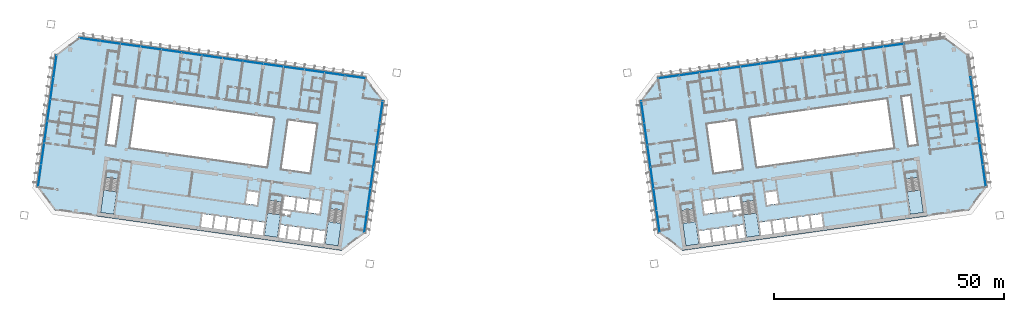
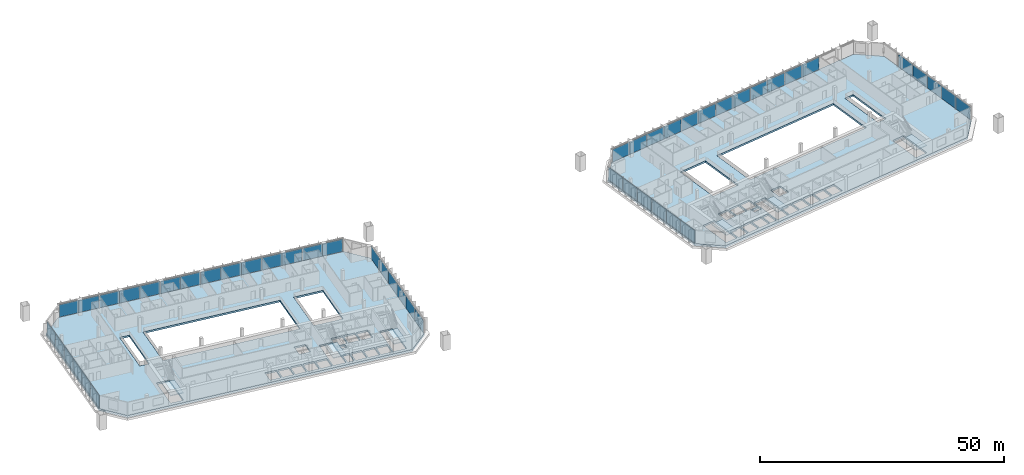
# One storey, part 12 of 24: 49 plates, 8 slabs, 12 elements without a shape of their own.
"""IFC4 building model written with IfcOpenShell, lengths in metres."""

from ifc_helpers import new_model, si_unit, direction, frame, origin, origin_2d, place, context, subcontext, project, spatial, polyline, rectangle, outline, extrude, material, layer, layer_set, type_object, element, aggregate, save


model = new_model("IFC4")

# Units and contexts
model_context = context("Model", 3, precision=1e-05, world=origin(), true_north=direction((0.0, 1.0)))
body_context = subcontext(model_context, "Body", "Model", "MODEL_VIEW")
ifc_project = project(units=[si_unit("LENGTHUNIT", "METRE"), si_unit("AREAUNIT", "SQUARE_METRE"), si_unit("VOLUMEUNIT", "CUBIC_METRE"), si_unit("PLANEANGLEUNIT", "RADIAN"), si_unit("MASSUNIT", "GRAM", prefix="KILO")], contexts=[model_context])

# Site, building, storey
site_placement = place(None, origin())
site = spatial("IfcSite", under=ifc_project, at=site_placement, CompositionType="ELEMENT")
building_placement = place(site_placement, origin())
building = spatial("IfcBuilding", under=site, at=building_placement, Name="Mirante Cascada Hotel Towers", CompositionType="ELEMENT")
storey_placement = place(building_placement, frame((0.0, 0.0, 110.1)))
storey = spatial("IfcBuildingStorey", under=building, at=storey_placement, Name="L24", CompositionType="ELEMENT", Elevation=110.1)

# Curtain wall, plates
ifc_material_1 = material(Name="Aluminium mullion and transom frame with clear laminated glass", Category="aluminium")
curtain_wall_type_1 = type_object("IfcCurtainWallType", Name="Ribbon curtain wall ECW1", PredefinedType="NOTDEFINED", material=ifc_material_1)
curtain_wall_1_placement = place(storey_placement, origin())
curtain_wall_1 = element("IfcCurtainWall", 1, at=curtain_wall_1_placement, inside=storey, type_object=curtain_wall_type_1, Name="Front ribbon wall T1 L24", PredefinedType="NOTDEFINED")
ifc_material_2 = material(Name="Clear laminated glass", Category="glass")
ifc_layer_1 = layer(ifc_material_2, 0.036)
ifc_layer_set_1 = layer_set([ifc_layer_1], Name="ECW1 glass panel 36")
plate_type_1 = type_object("IfcPlateType", Name="ECW1 glass panel 36", PredefinedType="CURTAIN_PANEL", material=ifc_layer_set_1)
plate_1_placement = place(storey_placement, frame((-91.9184, 25.7373, 0.1), z_axis=(0.0, 0.0, 1.0), x_axis=(0.9902681, -0.1391731, 0.0)))
plate_1 = element("IfcPlate", 2, at=plate_1_placement, type_object=plate_type_1, Name="ECW1 panel 1", PredefinedType="CURTAIN_PANEL", context=body_context, shape_type="SweptSolid", body=[
    extrude(rectangle(XDim=4.3936, YDim=0.036, at=origin_2d()), origin(), (0.0, 0.0, 1.0), 3.15),
])
plate_2_placement = place(storey_placement, frame((-87.487, 25.1145, 0.1), z_axis=(0.0, 0.0, 1.0), x_axis=(0.9902681, -0.1391731, 0.0)))
plate_2 = element("IfcPlate", 3, at=plate_2_placement, type_object=plate_type_1, Name="ECW1 panel 2", PredefinedType="CURTAIN_PANEL", context=body_context, shape_type="SweptSolid", body=[
    extrude(rectangle(XDim=4.4261, YDim=0.036, at=origin_2d()), origin(), (0.0, 0.0, 1.0), 3.15),
])
plate_3_placement = place(storey_placement, frame((-83.0396, 24.4895, 0.1), z_axis=(0.0, 0.0, 1.0), x_axis=(0.9902681, -0.1391731, 0.0)))
plate_3 = element("IfcPlate", 4, at=plate_3_placement, type_object=plate_type_1, Name="ECW1 panel 3", PredefinedType="CURTAIN_PANEL", context=body_context, shape_type="SweptSolid", body=[
    extrude(rectangle(XDim=4.4261, YDim=0.036, at=origin_2d()), origin(), (0.0, 0.0, 1.0), 3.15),
])
plate_4_placement = place(storey_placement, frame((-78.5922, 23.8644, 0.1), z_axis=(0.0, 0.0, 1.0), x_axis=(0.9902681, -0.1391731, 0.0)))
plate_4 = element("IfcPlate", 5, at=plate_4_placement, type_object=plate_type_1, Name="ECW1 panel 4", PredefinedType="CURTAIN_PANEL", context=body_context, shape_type="SweptSolid", body=[
    extrude(rectangle(XDim=4.4261, YDim=0.036, at=origin_2d()), origin(), (0.0, 0.0, 1.0), 3.15),
])
plate_5_placement = place(storey_placement, frame((-74.1448, 23.2394, 0.1), z_axis=(0.0, 0.0, 1.0), x_axis=(0.9902681, -0.1391731, 0.0)))
plate_5 = element("IfcPlate", 6, at=plate_5_placement, type_object=plate_type_1, Name="ECW1 panel 5", PredefinedType="CURTAIN_PANEL", context=body_context, shape_type="SweptSolid", body=[
    extrude(rectangle(XDim=4.4261, YDim=0.036, at=origin_2d()), origin(), (0.0, 0.0, 1.0), 3.15),
])
plate_6_placement = place(storey_placement, frame((-69.6974, 22.6144, 0.1), z_axis=(0.0, 0.0, 1.0), x_axis=(0.9902681, -0.1391731, 0.0)))
plate_6 = element("IfcPlate", 7, at=plate_6_placement, type_object=plate_type_1, Name="ECW1 panel 6", PredefinedType="CURTAIN_PANEL", context=body_context, shape_type="SweptSolid", body=[
    extrude(rectangle(XDim=4.4261, YDim=0.036, at=origin_2d()), origin(), (0.0, 0.0, 1.0), 3.15),
])
plate_7_placement = place(storey_placement, frame((-65.2499, 21.9893, 0.1), z_axis=(0.0, 0.0, 1.0), x_axis=(0.9902681, -0.1391731, 0.0)))
plate_7 = element("IfcPlate", 8, at=plate_7_placement, type_object=plate_type_1, Name="ECW1 panel 7", PredefinedType="CURTAIN_PANEL", context=body_context, shape_type="SweptSolid", body=[
    extrude(rectangle(XDim=4.4261, YDim=0.036, at=origin_2d()), origin(), (0.0, 0.0, 1.0), 3.15),
])
plate_8_placement = place(storey_placement, frame((-60.8025, 21.3643, 0.1), z_axis=(0.0, 0.0, 1.0), x_axis=(0.9902681, -0.1391731, 0.0)))
plate_8 = element("IfcPlate", 9, at=plate_8_placement, type_object=plate_type_1, Name="ECW1 panel 8", PredefinedType="CURTAIN_PANEL", context=body_context, shape_type="SweptSolid", body=[
    extrude(rectangle(XDim=4.4261, YDim=0.036, at=origin_2d()), origin(), (0.0, 0.0, 1.0), 3.15),
])
plate_9_placement = place(storey_placement, frame((-56.3551, 20.7392, 0.1), z_axis=(0.0, 0.0, 1.0), x_axis=(0.9902681, -0.1391731, 0.0)))
plate_9 = element("IfcPlate", 10, at=plate_9_placement, type_object=plate_type_1, Name="ECW1 panel 9", PredefinedType="CURTAIN_PANEL", context=body_context, shape_type="SweptSolid", body=[
    extrude(rectangle(XDim=4.4261, YDim=0.036, at=origin_2d()), origin(), (0.0, 0.0, 1.0), 3.15),
])
plate_10_placement = place(storey_placement, frame((-51.9077, 20.1142, 0.1), z_axis=(0.0, 0.0, 1.0), x_axis=(0.9902681, -0.1391731, 0.0)))
plate_10 = element("IfcPlate", 11, at=plate_10_placement, type_object=plate_type_1, Name="ECW1 panel 10", PredefinedType="CURTAIN_PANEL", context=body_context, shape_type="SweptSolid", body=[
    extrude(rectangle(XDim=4.4261, YDim=0.036, at=origin_2d()), origin(), (0.0, 0.0, 1.0), 3.15),
])
plate_11_placement = place(storey_placement, frame((-47.4603, 19.4891, 0.1), z_axis=(0.0, 0.0, 1.0), x_axis=(0.9902681, -0.1391731, 0.0)))
plate_11 = element("IfcPlate", 12, at=plate_11_placement, type_object=plate_type_1, Name="ECW1 panel 11", PredefinedType="CURTAIN_PANEL", context=body_context, shape_type="SweptSolid", body=[
    extrude(rectangle(XDim=4.4261, YDim=0.036, at=origin_2d()), origin(), (0.0, 0.0, 1.0), 3.15),
])
plate_12_placement = place(storey_placement, frame((-43.0129, 18.8641, 0.1), z_axis=(0.0, 0.0, 1.0), x_axis=(0.9902681, -0.1391731, 0.0)))
plate_12 = element("IfcPlate", 13, at=plate_12_placement, type_object=plate_type_1, Name="ECW1 panel 12", PredefinedType="CURTAIN_PANEL", context=body_context, shape_type="SweptSolid", body=[
    extrude(rectangle(XDim=4.4261, YDim=0.036, at=origin_2d()), origin(), (0.0, 0.0, 1.0), 3.15),
])
plate_13_placement = place(storey_placement, frame((-38.5654, 18.239, 0.1), z_axis=(0.0, 0.0, 1.0), x_axis=(0.9902681, -0.1391731, 0.0)))
plate_13 = element("IfcPlate", 14, at=plate_13_placement, type_object=plate_type_1, Name="ECW1 panel 13", PredefinedType="CURTAIN_PANEL", context=body_context, shape_type="SweptSolid", body=[
    extrude(rectangle(XDim=4.4261, YDim=0.036, at=origin_2d()), origin(), (0.0, 0.0, 1.0), 3.15),
])
plate_14_placement = place(storey_placement, frame((-34.1341, 17.6163, 0.1), z_axis=(0.0, 0.0, 1.0), x_axis=(0.9902681, -0.1391731, 0.0)))
plate_14 = element("IfcPlate", 15, at=plate_14_placement, type_object=plate_type_1, Name="ECW1 panel 14", PredefinedType="CURTAIN_PANEL", context=body_context, shape_type="SweptSolid", body=[
    extrude(rectangle(XDim=4.3936, YDim=0.036, at=origin_2d()), origin(), (0.0, 0.0, 1.0), 3.15),
])
aggregate(curtain_wall_1, [plate_1, plate_2, plate_3, plate_4, plate_5, plate_6, plate_7, plate_8, plate_9, plate_10, plate_11, plate_12, plate_13, plate_14])

curtain_wall_2_placement = place(storey_placement, origin())
curtain_wall_2 = element("IfcCurtainWall", 16, at=curtain_wall_2_placement, inside=storey, type_object=curtain_wall_type_1, Name="Front ribbon wall T2 L24", PredefinedType="NOTDEFINED")
plate_15_placement = place(storey_placement, frame((83.0396, 24.4895, 0.1), z_axis=(0.0, 0.0, 1.0), x_axis=(-0.9902681, -0.1391731, 0.0)))
plate_15 = element("IfcPlate", 17, at=plate_15_placement, type_object=plate_type_1, Name="ECW1 panel 3", PredefinedType="CURTAIN_PANEL", context=body_context, shape_type="SweptSolid", body=[
    extrude(rectangle(XDim=4.4261, YDim=0.036, at=origin_2d()), origin(), (0.0, 0.0, 1.0), 3.15),
])
plate_16_placement = place(storey_placement, frame((78.5922, 23.8644, 0.1), z_axis=(0.0, 0.0, 1.0), x_axis=(-0.9902681, -0.1391731, 0.0)))
plate_16 = element("IfcPlate", 18, at=plate_16_placement, type_object=plate_type_1, Name="ECW1 panel 4", PredefinedType="CURTAIN_PANEL", context=body_context, shape_type="SweptSolid", body=[
    extrude(rectangle(XDim=4.4261, YDim=0.036, at=origin_2d()), origin(), (0.0, 0.0, 1.0), 3.15),
])
plate_17_placement = place(storey_placement, frame((74.1448, 23.2394, 0.1), z_axis=(0.0, 0.0, 1.0), x_axis=(-0.9902681, -0.1391731, 0.0)))
plate_17 = element("IfcPlate", 19, at=plate_17_placement, type_object=plate_type_1, Name="ECW1 panel 5", PredefinedType="CURTAIN_PANEL", context=body_context, shape_type="SweptSolid", body=[
    extrude(rectangle(XDim=4.4261, YDim=0.036, at=origin_2d()), origin(), (0.0, 0.0, 1.0), 3.15),
])
plate_18_placement = place(storey_placement, frame((69.6974, 22.6144, 0.1), z_axis=(0.0, 0.0, 1.0), x_axis=(-0.9902681, -0.1391731, 0.0)))
plate_18 = element("IfcPlate", 20, at=plate_18_placement, type_object=plate_type_1, Name="ECW1 panel 6", PredefinedType="CURTAIN_PANEL", context=body_context, shape_type="SweptSolid", body=[
    extrude(rectangle(XDim=4.4261, YDim=0.036, at=origin_2d()), origin(), (0.0, 0.0, 1.0), 3.15),
])
plate_19_placement = place(storey_placement, frame((65.2499, 21.9893, 0.1), z_axis=(0.0, 0.0, 1.0), x_axis=(-0.9902681, -0.1391731, 0.0)))
plate_19 = element("IfcPlate", 21, at=plate_19_placement, type_object=plate_type_1, Name="ECW1 panel 7", PredefinedType="CURTAIN_PANEL", context=body_context, shape_type="SweptSolid", body=[
    extrude(rectangle(XDim=4.4261, YDim=0.036, at=origin_2d()), origin(), (0.0, 0.0, 1.0), 3.15),
])
plate_20_placement = place(storey_placement, frame((60.8025, 21.3643, 0.1), z_axis=(0.0, 0.0, 1.0), x_axis=(-0.9902681, -0.1391731, 0.0)))
plate_20 = element("IfcPlate", 22, at=plate_20_placement, type_object=plate_type_1, Name="ECW1 panel 8", PredefinedType="CURTAIN_PANEL", context=body_context, shape_type="SweptSolid", body=[
    extrude(rectangle(XDim=4.4261, YDim=0.036, at=origin_2d()), origin(), (0.0, 0.0, 1.0), 3.15),
])
plate_21_placement = place(storey_placement, frame((56.3551, 20.7392, 0.1), z_axis=(0.0, 0.0, 1.0), x_axis=(-0.9902681, -0.1391731, 0.0)))
plate_21 = element("IfcPlate", 23, at=plate_21_placement, type_object=plate_type_1, Name="ECW1 panel 9", PredefinedType="CURTAIN_PANEL", context=body_context, shape_type="SweptSolid", body=[
    extrude(rectangle(XDim=4.4261, YDim=0.036, at=origin_2d()), origin(), (0.0, 0.0, 1.0), 3.15),
])
plate_22_placement = place(storey_placement, frame((51.9077, 20.1142, 0.1), z_axis=(0.0, 0.0, 1.0), x_axis=(-0.9902681, -0.1391731, 0.0)))
plate_22 = element("IfcPlate", 24, at=plate_22_placement, type_object=plate_type_1, Name="ECW1 panel 10", PredefinedType="CURTAIN_PANEL", context=body_context, shape_type="SweptSolid", body=[
    extrude(rectangle(XDim=4.4261, YDim=0.036, at=origin_2d()), origin(), (0.0, 0.0, 1.0), 3.15),
])
plate_23_placement = place(storey_placement, frame((47.4603, 19.4891, 0.1), z_axis=(0.0, 0.0, 1.0), x_axis=(-0.9902681, -0.1391731, 0.0)))
plate_23 = element("IfcPlate", 25, at=plate_23_placement, type_object=plate_type_1, Name="ECW1 panel 11", PredefinedType="CURTAIN_PANEL", context=body_context, shape_type="SweptSolid", body=[
    extrude(rectangle(XDim=4.4261, YDim=0.036, at=origin_2d()), origin(), (0.0, 0.0, 1.0), 3.15),
])
plate_24_placement = place(storey_placement, frame((43.0129, 18.8641, 0.1), z_axis=(0.0, 0.0, 1.0), x_axis=(-0.9902681, -0.1391731, 0.0)))
plate_24 = element("IfcPlate", 26, at=plate_24_placement, type_object=plate_type_1, Name="ECW1 panel 12", PredefinedType="CURTAIN_PANEL", context=body_context, shape_type="SweptSolid", body=[
    extrude(rectangle(XDim=4.4261, YDim=0.036, at=origin_2d()), origin(), (0.0, 0.0, 1.0), 3.15),
])
plate_25_placement = place(storey_placement, frame((38.5654, 18.239, 0.1), z_axis=(0.0, 0.0, 1.0), x_axis=(-0.9902681, -0.1391731, 0.0)))
plate_25 = element("IfcPlate", 27, at=plate_25_placement, type_object=plate_type_1, Name="ECW1 panel 13", PredefinedType="CURTAIN_PANEL", context=body_context, shape_type="SweptSolid", body=[
    extrude(rectangle(XDim=4.4261, YDim=0.036, at=origin_2d()), origin(), (0.0, 0.0, 1.0), 3.15),
])
plate_26_placement = place(storey_placement, frame((34.1341, 17.6163, 0.1), z_axis=(0.0, 0.0, 1.0), x_axis=(-0.9902681, -0.1391731, 0.0)))
plate_26 = element("IfcPlate", 28, at=plate_26_placement, type_object=plate_type_1, Name="ECW1 panel 14", PredefinedType="CURTAIN_PANEL", context=body_context, shape_type="SweptSolid", body=[
    extrude(rectangle(XDim=4.3936, YDim=0.036, at=origin_2d()), origin(), (0.0, 0.0, 1.0), 3.15),
])
aggregate(curtain_wall_2, [plate_15, plate_16, plate_17, plate_18, plate_19, plate_20, plate_21, plate_22, plate_23, plate_24, plate_25, plate_26])

ifc_material_3 = material(Name="Aluminium mullion and transom frame with clear laminated glass", Category="aluminium")
curtain_wall_type_2 = type_object("IfcCurtainWallType", Name="End ribbon curtain wall ECW2", PredefinedType="NOTDEFINED", material=ifc_material_3)
curtain_wall_3_placement = place(storey_placement, origin())
curtain_wall_3 = element("IfcCurtainWall", 29, at=curtain_wall_3_placement, inside=storey, type_object=curtain_wall_type_2, Name="Inner end wall T1 L24", PredefinedType="NOTDEFINED")
ifc_material_4 = material(Name="Clear laminated glass", Category="glass")
ifc_layer_2 = layer(ifc_material_4, 0.034)
ifc_layer_set_2 = layer_set([ifc_layer_2], Name="ECW2 glass panel 34")
plate_type_2 = type_object("IfcPlateType", Name="ECW2 glass panel 34", PredefinedType="CURTAIN_PANEL", material=ifc_layer_set_2)
plate_27_placement = place(storey_placement, frame((-28.4763, 9.9193, 0.1), z_axis=(0.0, 0.0, 1.0), x_axis=(-0.1391731, -0.9902681, 0.0)))
plate_27 = element("IfcPlate", 30, at=plate_27_placement, type_object=plate_type_2, Name="ECW2 panel 1", PredefinedType="CURTAIN_PANEL", context=body_context, shape_type="SweptSolid", body=[
    extrude(rectangle(XDim=4.7151, YDim=0.034, at=origin_2d()), origin(), (0.0, 0.0, 1.0), 3.15),
])
plate_28_placement = place(storey_placement, frame((-29.1439, 5.1696, 0.1), z_axis=(0.0, 0.0, 1.0), x_axis=(-0.1391731, -0.9902681, 0.0)))
plate_28 = element("IfcPlate", 31, at=plate_28_placement, type_object=plate_type_2, Name="ECW2 panel 2", PredefinedType="CURTAIN_PANEL", context=body_context, shape_type="SweptSolid", body=[
    extrude(rectangle(XDim=4.7476, YDim=0.034, at=origin_2d()), origin(), (0.0, 0.0, 1.0), 3.15),
])
plate_29_placement = place(storey_placement, frame((-29.8136, 0.4038, 0.1), z_axis=(0.0, 0.0, 1.0), x_axis=(-0.1391731, -0.9902681, 0.0)))
plate_29 = element("IfcPlate", 32, at=plate_29_placement, type_object=plate_type_2, Name="ECW2 panel 3", PredefinedType="CURTAIN_PANEL", context=body_context, shape_type="SweptSolid", body=[
    extrude(rectangle(XDim=4.7476, YDim=0.034, at=origin_2d()), origin(), (0.0, 0.0, 1.0), 3.15),
])
plate_30_placement = place(storey_placement, frame((-30.4834, -4.362, 0.1), z_axis=(0.0, 0.0, 1.0), x_axis=(-0.1391731, -0.9902681, 0.0)))
plate_30 = element("IfcPlate", 33, at=plate_30_placement, type_object=plate_type_2, Name="ECW2 panel 4", PredefinedType="CURTAIN_PANEL", context=body_context, shape_type="SweptSolid", body=[
    extrude(rectangle(XDim=4.7476, YDim=0.034, at=origin_2d()), origin(), (0.0, 0.0, 1.0), 3.15),
])
plate_31_placement = place(storey_placement, frame((-31.1532, -9.1278, 0.1), z_axis=(0.0, 0.0, 1.0), x_axis=(-0.1391731, -0.9902681, 0.0)))
plate_31 = element("IfcPlate", 34, at=plate_31_placement, type_object=plate_type_2, Name="ECW2 panel 5", PredefinedType="CURTAIN_PANEL", context=body_context, shape_type="SweptSolid", body=[
    extrude(rectangle(XDim=4.7476, YDim=0.034, at=origin_2d()), origin(), (0.0, 0.0, 1.0), 3.15),
])
plate_32_placement = place(storey_placement, frame((-31.8207, -13.8775, 0.1), z_axis=(0.0, 0.0, 1.0), x_axis=(-0.1391731, -0.9902681, 0.0)))
plate_32 = element("IfcPlate", 35, at=plate_32_placement, type_object=plate_type_2, Name="ECW2 panel 6", PredefinedType="CURTAIN_PANEL", context=body_context, shape_type="SweptSolid", body=[
    extrude(rectangle(XDim=4.7151, YDim=0.034, at=origin_2d()), origin(), (0.0, 0.0, 1.0), 3.15),
])
aggregate(curtain_wall_3, [plate_27, plate_28, plate_29, plate_30, plate_31, plate_32])

curtain_wall_4_placement = place(storey_placement, origin())
curtain_wall_4 = element("IfcCurtainWall", 36, at=curtain_wall_4_placement, inside=storey, type_object=curtain_wall_type_2, Name="Outer end wall T1 L24", PredefinedType="NOTDEFINED")
plate_33_placement = place(storey_placement, frame((-102.1554, 0.8509, 0.1), z_axis=(0.0, 0.0, 1.0), x_axis=(0.1391731, 0.9902681, 0.0)))
plate_33 = element("IfcPlate", 37, at=plate_33_placement, type_object=plate_type_2, Name="ECW2 panel 2", PredefinedType="CURTAIN_PANEL", context=body_context, shape_type="SweptSolid", body=[
    extrude(rectangle(XDim=4.7476, YDim=0.034, at=origin_2d()), origin(), (0.0, 0.0, 1.0), 3.15),
])
plate_34_placement = place(storey_placement, frame((-101.4857, 5.6167, 0.1), z_axis=(0.0, 0.0, 1.0), x_axis=(0.1391731, 0.9902681, 0.0)))
plate_34 = element("IfcPlate", 38, at=plate_34_placement, type_object=plate_type_2, Name="ECW2 panel 3", PredefinedType="CURTAIN_PANEL", context=body_context, shape_type="SweptSolid", body=[
    extrude(rectangle(XDim=4.7476, YDim=0.034, at=origin_2d()), origin(), (0.0, 0.0, 1.0), 3.15),
])
plate_35_placement = place(storey_placement, frame((-100.8159, 10.3825, 0.1), z_axis=(0.0, 0.0, 1.0), x_axis=(0.1391731, 0.9902681, 0.0)))
plate_35 = element("IfcPlate", 39, at=plate_35_placement, type_object=plate_type_2, Name="ECW2 panel 4", PredefinedType="CURTAIN_PANEL", context=body_context, shape_type="SweptSolid", body=[
    extrude(rectangle(XDim=4.7476, YDim=0.034, at=origin_2d()), origin(), (0.0, 0.0, 1.0), 3.15),
])
plate_36_placement = place(storey_placement, frame((-100.1461, 15.1483, 0.1), z_axis=(0.0, 0.0, 1.0), x_axis=(0.1391731, 0.9902681, 0.0)))
plate_36 = element("IfcPlate", 40, at=plate_36_placement, type_object=plate_type_2, Name="ECW2 panel 5", PredefinedType="CURTAIN_PANEL", context=body_context, shape_type="SweptSolid", body=[
    extrude(rectangle(XDim=4.7476, YDim=0.034, at=origin_2d()), origin(), (0.0, 0.0, 1.0), 3.15),
])

curtain_wall_5_placement = place(storey_placement, origin())
curtain_wall_5 = element("IfcCurtainWall", 41, at=curtain_wall_5_placement, inside=storey, type_object=curtain_wall_type_2, Name="Inner end wall T2 L24", PredefinedType="NOTDEFINED")
plate_37_placement = place(storey_placement, frame((28.4763, 9.9193, 0.1), z_axis=(0.0, 0.0, 1.0), x_axis=(0.1391731, -0.9902681, 0.0)))
plate_37 = element("IfcPlate", 42, at=plate_37_placement, type_object=plate_type_2, Name="ECW2 panel 1", PredefinedType="CURTAIN_PANEL", context=body_context, shape_type="SweptSolid", body=[
    extrude(rectangle(XDim=4.7151, YDim=0.034, at=origin_2d()), origin(), (0.0, 0.0, 1.0), 3.15),
])
plate_38_placement = place(storey_placement, frame((29.1439, 5.1696, 0.1), z_axis=(0.0, 0.0, 1.0), x_axis=(0.1391731, -0.9902681, 0.0)))
plate_38 = element("IfcPlate", 43, at=plate_38_placement, type_object=plate_type_2, Name="ECW2 panel 2", PredefinedType="CURTAIN_PANEL", context=body_context, shape_type="SweptSolid", body=[
    extrude(rectangle(XDim=4.7476, YDim=0.034, at=origin_2d()), origin(), (0.0, 0.0, 1.0), 3.15),
])
plate_39_placement = place(storey_placement, frame((29.8136, 0.4038, 0.1), z_axis=(0.0, 0.0, 1.0), x_axis=(0.1391731, -0.9902681, 0.0)))
plate_39 = element("IfcPlate", 44, at=plate_39_placement, type_object=plate_type_2, Name="ECW2 panel 3", PredefinedType="CURTAIN_PANEL", context=body_context, shape_type="SweptSolid", body=[
    extrude(rectangle(XDim=4.7476, YDim=0.034, at=origin_2d()), origin(), (0.0, 0.0, 1.0), 3.15),
])
plate_40_placement = place(storey_placement, frame((30.4834, -4.362, 0.1), z_axis=(0.0, 0.0, 1.0), x_axis=(0.1391731, -0.9902681, 0.0)))
plate_40 = element("IfcPlate", 45, at=plate_40_placement, type_object=plate_type_2, Name="ECW2 panel 4", PredefinedType="CURTAIN_PANEL", context=body_context, shape_type="SweptSolid", body=[
    extrude(rectangle(XDim=4.7476, YDim=0.034, at=origin_2d()), origin(), (0.0, 0.0, 1.0), 3.15),
])
plate_41_placement = place(storey_placement, frame((31.1532, -9.1278, 0.1), z_axis=(0.0, 0.0, 1.0), x_axis=(0.1391731, -0.9902681, 0.0)))
plate_41 = element("IfcPlate", 46, at=plate_41_placement, type_object=plate_type_2, Name="ECW2 panel 5", PredefinedType="CURTAIN_PANEL", context=body_context, shape_type="SweptSolid", body=[
    extrude(rectangle(XDim=4.7476, YDim=0.034, at=origin_2d()), origin(), (0.0, 0.0, 1.0), 3.15),
])
plate_42_placement = place(storey_placement, frame((31.8207, -13.8775, 0.1), z_axis=(0.0, 0.0, 1.0), x_axis=(0.1391731, -0.9902681, 0.0)))
plate_42 = element("IfcPlate", 47, at=plate_42_placement, type_object=plate_type_2, Name="ECW2 panel 6", PredefinedType="CURTAIN_PANEL", context=body_context, shape_type="SweptSolid", body=[
    extrude(rectangle(XDim=4.7151, YDim=0.034, at=origin_2d()), origin(), (0.0, 0.0, 1.0), 3.15),
])
aggregate(curtain_wall_5, [plate_37, plate_38, plate_39, plate_40, plate_41, plate_42])

curtain_wall_6_placement = place(storey_placement, origin())
curtain_wall_6 = element("IfcCurtainWall", 48, at=curtain_wall_6_placement, inside=storey, type_object=curtain_wall_type_2, Name="Outer end wall T2 L24", PredefinedType="NOTDEFINED")
plate_43_placement = place(storey_placement, frame((102.1554, 0.8509, 0.1), z_axis=(0.0, 0.0, 1.0), x_axis=(-0.1391731, 0.9902681, 0.0)))
plate_43 = element("IfcPlate", 49, at=plate_43_placement, type_object=plate_type_2, Name="ECW2 panel 2", PredefinedType="CURTAIN_PANEL", context=body_context, shape_type="SweptSolid", body=[
    extrude(rectangle(XDim=4.7476, YDim=0.034, at=origin_2d()), origin(), (0.0, 0.0, 1.0), 3.15),
])
plate_44_placement = place(storey_placement, frame((101.4857, 5.6167, 0.1), z_axis=(0.0, 0.0, 1.0), x_axis=(-0.1391731, 0.9902681, 0.0)))
plate_44 = element("IfcPlate", 50, at=plate_44_placement, type_object=plate_type_2, Name="ECW2 panel 3", PredefinedType="CURTAIN_PANEL", context=body_context, shape_type="SweptSolid", body=[
    extrude(rectangle(XDim=4.7476, YDim=0.034, at=origin_2d()), origin(), (0.0, 0.0, 1.0), 3.15),
])
plate_45_placement = place(storey_placement, frame((100.8159, 10.3825, 0.1), z_axis=(0.0, 0.0, 1.0), x_axis=(-0.1391731, 0.9902681, 0.0)))
plate_45 = element("IfcPlate", 51, at=plate_45_placement, type_object=plate_type_2, Name="ECW2 panel 4", PredefinedType="CURTAIN_PANEL", context=body_context, shape_type="SweptSolid", body=[
    extrude(rectangle(XDim=4.7476, YDim=0.034, at=origin_2d()), origin(), (0.0, 0.0, 1.0), 3.15),
])
plate_46_placement = place(storey_placement, frame((100.1461, 15.1483, 0.1), z_axis=(0.0, 0.0, 1.0), x_axis=(-0.1391731, 0.9902681, 0.0)))
plate_46 = element("IfcPlate", 52, at=plate_46_placement, type_object=plate_type_2, Name="ECW2 panel 5", PredefinedType="CURTAIN_PANEL", context=body_context, shape_type="SweptSolid", body=[
    extrude(rectangle(XDim=4.7476, YDim=0.034, at=origin_2d()), origin(), (0.0, 0.0, 1.0), 3.15),
])

# Plate
ifc_material_5 = material(Name="Insulated aluminium spandrel panel", Category="aluminium")
ifc_layer_3 = layer(ifc_material_5, 0.034)
ifc_layer_set_3 = layer_set([ifc_layer_3], Name="ECW2 spandrel panel 34")
plate_type_3 = type_object("IfcPlateType", Name="ECW2 spandrel panel 34", PredefinedType="CURTAIN_PANEL", material=ifc_layer_set_3)
plate_47_placement = place(storey_placement, frame((-102.823, -3.8988, 0.1), z_axis=(0.0, 0.0, 1.0), x_axis=(0.1391731, 0.9902681, 0.0)))
plate_47 = element("IfcPlate", 53, at=plate_47_placement, type_object=plate_type_3, Name="ECW2 panel 1", PredefinedType="CURTAIN_PANEL", context=body_context, shape_type="SweptSolid", body=[
    extrude(rectangle(XDim=4.7151, YDim=0.034, at=origin_2d()), origin(), (0.0, 0.0, 1.0), 3.15),
])

plate_48_placement = place(storey_placement, frame((-99.4786, 19.898, 0.1), z_axis=(0.0, 0.0, 1.0), x_axis=(0.1391731, 0.9902681, 0.0)))
plate_48 = element("IfcPlate", 54, at=plate_48_placement, type_object=plate_type_3, Name="ECW2 panel 6", PredefinedType="CURTAIN_PANEL", context=body_context, shape_type="SweptSolid", body=[
    extrude(rectangle(XDim=4.7151, YDim=0.034, at=origin_2d()), origin(), (0.0, 0.0, 1.0), 3.15),
])

aggregate(curtain_wall_4, [plate_47, plate_33, plate_34, plate_35, plate_36, plate_48])

plate_49_placement = place(storey_placement, frame((102.823, -3.8988, 0.1), z_axis=(0.0, 0.0, 1.0), x_axis=(-0.1391731, 0.9902681, 0.0)))
plate_49 = element("IfcPlate", 55, at=plate_49_placement, type_object=plate_type_3, Name="ECW2 panel 1", PredefinedType="CURTAIN_PANEL", context=body_context, shape_type="SweptSolid", body=[
    extrude(rectangle(XDim=4.7151, YDim=0.034, at=origin_2d()), origin(), (0.0, 0.0, 1.0), 3.15),
])

aggregate(curtain_wall_6, [plate_49, plate_43, plate_44, plate_45, plate_46])

# Stair, slab
ifc_material_6 = material(Name="Concrete C35/45", Category="concrete")
stair_type = type_object("IfcStairType", Name="Exit stair half-turn 1350 concrete C35/45", PredefinedType="HALF_TURN_STAIR", material=ifc_material_6)
stair_1_placement = place(storey_placement, origin())
stair_1 = element("IfcStair", 56, at=stair_1_placement, inside=storey, type_object=stair_type, Name="L24 Exit stair A", PredefinedType="HALF_TURN_STAIR")
ifc_material_7 = material(Name="Concrete C35/45", Category="concrete")
ifc_layer_4 = layer(ifc_material_7, 0.2)
ifc_layer_set_4 = layer_set([ifc_layer_4], Name="Exit stair landing 200 concrete C35/45")
slab_type_1 = type_object("IfcSlabType", Name="Exit stair landing 200 concrete C35/45", PredefinedType="LANDING", material=ifc_layer_set_4)
slab_1_placement = place(storey_placement, frame((0.0, 0.0, 1.7)))
slab_1 = element("IfcSlab", 57, at=slab_1_placement, type_object=slab_type_1, Name="ST1-A landing 1", PredefinedType="LANDING", context=body_context, shape_type="SweptSolid", body=[
    extrude(outline(polyline([(-39.9987, -13.8659), (-40.6887, -18.7757), (-37.8665, -19.1723), (-37.1765, -14.2626), (-39.9987, -13.8659)])), origin(), (0.0, 0.0, 1.0), 0.2),
])
aggregate(stair_1, [slab_1])

stair_2_placement = place(storey_placement, origin())
stair_2 = element("IfcStair", 58, at=stair_2_placement, inside=storey, type_object=stair_type, Name="L24 Exit stair B", PredefinedType="HALF_TURN_STAIR")
slab_2_placement = place(storey_placement, frame((0.0, 0.0, 1.7)))
slab_2 = element("IfcSlab", 59, at=slab_2_placement, type_object=slab_type_1, Name="ST1-B landing 1", PredefinedType="LANDING", context=body_context, shape_type="SweptSolid", body=[
    extrude(outline(polyline([(-53.2188, -12.008), (-53.9088, -16.9177), (-51.0866, -17.3144), (-50.3965, -12.4046), (-53.2188, -12.008)])), origin(), (0.0, 0.0, 1.0), 0.2),
])
aggregate(stair_2, [slab_2])

stair_3_placement = place(storey_placement, origin())
stair_3 = element("IfcStair", 60, at=stair_3_placement, inside=storey, type_object=stair_type, Name="L24 Exit stair C", PredefinedType="HALF_TURN_STAIR")
slab_3_placement = place(storey_placement, frame((0.0, 0.0, 1.7)))
slab_3 = element("IfcSlab", 61, at=slab_3_placement, type_object=slab_type_1, Name="ST1-C landing 1", PredefinedType="LANDING", context=body_context, shape_type="SweptSolid", body=[
    extrude(outline(polyline([(-88.8685, -6.9977), (-89.5585, -11.9075), (-86.7362, -12.3041), (-86.0462, -7.3944), (-88.8685, -6.9977)])), origin(), (0.0, 0.0, 1.0), 0.2),
])
aggregate(stair_3, [slab_3])

stair_4_placement = place(storey_placement, origin())
stair_4 = element("IfcStair", 62, at=stair_4_placement, inside=storey, type_object=stair_type, Name="L24 Exit stair A", PredefinedType="HALF_TURN_STAIR")
slab_4_placement = place(storey_placement, frame((0.0, 0.0, 1.7)))
slab_4 = element("IfcSlab", 63, at=slab_4_placement, type_object=slab_type_1, Name="ST2-A landing 1", PredefinedType="LANDING", context=body_context, shape_type="SweptSolid", body=[
    extrude(outline(polyline([(37.1765, -14.2626), (37.8665, -19.1723), (40.6887, -18.7757), (39.9987, -13.8659), (37.1765, -14.2626)])), origin(), (0.0, 0.0, 1.0), 0.2),
])
aggregate(stair_4, [slab_4])

stair_5_placement = place(storey_placement, origin())
stair_5 = element("IfcStair", 64, at=stair_5_placement, inside=storey, type_object=stair_type, Name="L24 Exit stair B", PredefinedType="HALF_TURN_STAIR")
slab_5_placement = place(storey_placement, frame((0.0, 0.0, 1.7)))
slab_5 = element("IfcSlab", 65, at=slab_5_placement, type_object=slab_type_1, Name="ST2-B landing 1", PredefinedType="LANDING", context=body_context, shape_type="SweptSolid", body=[
    extrude(outline(polyline([(50.3965, -12.4046), (51.0866, -17.3144), (53.9088, -16.9177), (53.2188, -12.008), (50.3965, -12.4046)])), origin(), (0.0, 0.0, 1.0), 0.2),
])
aggregate(stair_5, [slab_5])

stair_6_placement = place(storey_placement, origin())
stair_6 = element("IfcStair", 66, at=stair_6_placement, inside=storey, type_object=stair_type, Name="L24 Exit stair C", PredefinedType="HALF_TURN_STAIR")
slab_6_placement = place(storey_placement, frame((0.0, 0.0, 1.7)))
slab_6 = element("IfcSlab", 67, at=slab_6_placement, type_object=slab_type_1, Name="ST2-C landing 1", PredefinedType="LANDING", context=body_context, shape_type="SweptSolid", body=[
    extrude(outline(polyline([(86.0462, -7.3944), (86.7362, -12.3041), (89.5585, -11.9075), (88.8685, -6.9977), (86.0462, -7.3944)])), origin(), (0.0, 0.0, 1.0), 0.2),
])
aggregate(stair_6, [slab_6])

# Slabs
ifc_material_8 = material(Name="Concrete C40/50", Category="concrete")
ifc_layer_5 = layer(ifc_material_8, 0.45)
ifc_layer_set_5 = layer_set([ifc_layer_5], Name="Post-tensioned flat plate 450 Concrete C40/50")
slab_type_2 = type_object("IfcSlabType", Name="Post-tensioned flat plate 450 Concrete C40/50", PredefinedType="FLOOR", material=ifc_layer_set_5)
slab_7_placement = place(storey_placement, frame((0.0, 0.0, -0.45)))
element("IfcSlab", 68, at=slab_7_placement, inside=storey, type_object=slab_type_2, Name="Floor T1 L24", PredefinedType="FLOOR", context=body_context, shape_type="SweptSolid", body=[
    extrude(outline(polyline([(-32.018, -16.3589), (-27.982, 12.3589), (-31.8119, 17.4414), (-94.1988, 26.2093), (-99.2813, 22.3794), (-103.3173, -6.3384), (-99.4874, -11.4209), (-37.1005, -20.1888), (-32.018, -16.3589)]), holes=[polyline([(-43.0718, -15.6132), (-40.5961, -15.9612), (-40.9858, -18.7339), (-43.4615, -18.386), (-43.0718, -15.6132)]), polyline([(-45.8446, -15.2236), (-43.3689, -15.5715), (-43.7586, -18.3442), (-46.2342, -17.9963), (-45.8446, -15.2236)]), polyline([(-48.6173, -14.8339), (-46.1416, -15.1818), (-46.5313, -17.9546), (-49.007, -17.6066), (-48.6173, -14.8339)]), polyline([(-50.3998, -14.5834), (-48.9144, -14.7921), (-49.3041, -17.5649), (-50.7895, -17.3561), (-50.3998, -14.5834)]), polyline([(-36.7887, -11.5037), (-37.8665, -19.1723), (-40.6887, -18.7757), (-39.611, -11.107), (-36.7887, -11.5037)]), polyline([(-49.9544, -11.4145), (-48.1472, -11.6685), (-48.2829, -12.634), (-50.0901, -12.38), (-49.9544, -11.4145)]), polyline([(-43.9775, -9.124), (-41.5018, -9.472), (-41.8915, -12.2447), (-44.3672, -11.8968), (-43.9775, -9.124)]), polyline([(-47.1399, -11.5071), (-46.7503, -8.7344), (-44.2746, -9.0823), (-44.6643, -11.855), (-47.1399, -11.5071)]), polyline([(-49.9127, -11.1174), (-49.523, -8.3447), (-47.0473, -8.6926), (-47.437, -11.4654), (-49.9127, -11.1174)]), polyline([(-56.2919, -13.7553), (-53.8162, -14.1032), (-54.2059, -16.876), (-56.6816, -16.528), (-56.2919, -13.7553)]), polyline([(-59.0646, -13.3656), (-56.589, -13.7135), (-56.9787, -16.4863), (-59.4543, -16.1383), (-59.0646, -13.3656)]), polyline([(-61.8374, -12.9759), (-59.3617, -13.3238), (-59.7514, -16.0966), (-62.2271, -15.7487), (-61.8374, -12.9759)]), polyline([(-64.6101, -12.5862), (-62.1345, -12.9342), (-62.5242, -15.7069), (-64.9998, -15.359), (-64.6101, -12.5862)]), polyline([(-67.3829, -12.1965), (-64.9072, -12.5445), (-65.2969, -15.3172), (-67.7726, -14.9693), (-67.3829, -12.1965)]), polyline([(-50.0088, -9.6457), (-51.0866, -17.3144), (-53.9088, -16.9177), (-52.8311, -9.2491), (-50.0088, -9.6457)]), polyline([(-85.6585, -4.6355), (-86.7362, -12.3041), (-89.5585, -11.9075), (-88.4807, -4.2388), (-85.6585, -4.6355)]), polyline([(-57.9834, -9.9832), (-57.5937, -7.2104), (-55.118, -7.5583), (-55.5077, -10.3311), (-57.9834, -9.9832)]), polyline([(-86.873, 13.6677), (-84.7325, 13.3668), (-84.7325, 13.3668), (-86.2634, 2.4739), (-86.2634, 2.4739), (-88.4039, 2.7747), (-86.873, 13.6677)]), polyline([(-51.7318, 8.7289), (-53.2627, -2.1641), (-53.2627, -2.1641), (-83.2906, 2.0561), (-83.2906, 2.0561), (-81.7597, 12.949), (-81.7597, 12.949), (-51.7318, 8.7289)]), polyline([(-42.3109, 7.4049), (-43.8418, -3.4881), (-50.2899, -2.5818), (-50.2899, -2.5818), (-48.759, 8.3111), (-42.3109, 7.4049)])]), origin(), (0.0, 0.0, 1.0), 0.45),
])
slab_8_placement = place(storey_placement, frame((0.0, 0.0, -0.45)))
element("IfcSlab", 69, at=slab_8_placement, inside=storey, type_object=slab_type_2, Name="Floor T2 L24", PredefinedType="FLOOR", context=body_context, shape_type="SweptSolid", body=[
    extrude(outline(polyline([(32.018, -16.3589), (27.982, 12.3589), (31.8119, 17.4414), (94.1988, 26.2093), (99.2813, 22.3794), (103.3173, -6.3384), (99.4874, -11.4209), (37.1005, -20.1888), (32.018, -16.3589)]), holes=[polyline([(43.0718, -15.6132), (40.5961, -15.9612), (40.9858, -18.7339), (43.4615, -18.386), (43.0718, -15.6132)]), polyline([(45.8446, -15.2236), (43.3689, -15.5715), (43.7586, -18.3442), (46.2342, -17.9963), (45.8446, -15.2236)]), polyline([(48.6173, -14.8339), (46.1416, -15.1818), (46.5313, -17.9546), (49.007, -17.6066), (48.6173, -14.8339)]), polyline([(50.3998, -14.5834), (48.9144, -14.7921), (49.3041, -17.5649), (50.7895, -17.3561), (50.3998, -14.5834)]), polyline([(37.8665, -19.1723), (40.6887, -18.7757), (39.611, -11.107), (36.7887, -11.5037), (37.8665, -19.1723)]), polyline([(49.9544, -11.4145), (48.1472, -11.6685), (48.2829, -12.634), (50.0901, -12.38), (49.9544, -11.4145)]), polyline([(43.9775, -9.124), (41.5018, -9.472), (41.8915, -12.2447), (44.3672, -11.8968), (43.9775, -9.124)]), polyline([(47.1399, -11.5071), (46.7503, -8.7344), (44.2746, -9.0823), (44.6643, -11.855), (47.1399, -11.5071)]), polyline([(49.9127, -11.1174), (49.523, -8.3447), (47.0473, -8.6926), (47.437, -11.4654), (49.9127, -11.1174)]), polyline([(56.2919, -13.7553), (53.8162, -14.1032), (54.2059, -16.876), (56.6816, -16.528), (56.2919, -13.7553)]), polyline([(59.0646, -13.3656), (56.589, -13.7135), (56.9787, -16.4863), (59.4543, -16.1383), (59.0646, -13.3656)]), polyline([(61.8374, -12.9759), (59.3617, -13.3238), (59.7514, -16.0966), (62.2271, -15.7487), (61.8374, -12.9759)]), polyline([(64.6101, -12.5862), (62.1345, -12.9342), (62.5242, -15.7069), (64.9998, -15.359), (64.6101, -12.5862)]), polyline([(67.3829, -12.1965), (64.9072, -12.5445), (65.2969, -15.3172), (67.7726, -14.9693), (67.3829, -12.1965)]), polyline([(51.0866, -17.3144), (53.9088, -16.9177), (52.8311, -9.2491), (50.0088, -9.6457), (51.0866, -17.3144)]), polyline([(86.7362, -12.3041), (89.5585, -11.9075), (88.4807, -4.2388), (85.6585, -4.6355), (86.7362, -12.3041)]), polyline([(57.9834, -9.9832), (57.5937, -7.2104), (55.118, -7.5583), (55.5077, -10.3311), (57.9834, -9.9832)]), polyline([(86.873, 13.6677), (88.4039, 2.7747), (86.2634, 2.4739), (86.2634, 2.4739), (84.7325, 13.3668), (84.7325, 13.3668), (86.873, 13.6677)]), polyline([(81.7597, 12.949), (81.7597, 12.949), (83.2906, 2.0561), (83.2906, 2.0561), (53.2627, -2.1641), (53.2627, -2.1641), (51.7318, 8.7289), (81.7597, 12.949)]), polyline([(43.8418, -3.4881), (42.3109, 7.4049), (48.759, 8.3111), (50.2899, -2.5818), (50.2899, -2.5818), (43.8418, -3.4881)])]), origin(), (0.0, 0.0, 1.0), 0.45),
])

save(model, "model.ifc")
